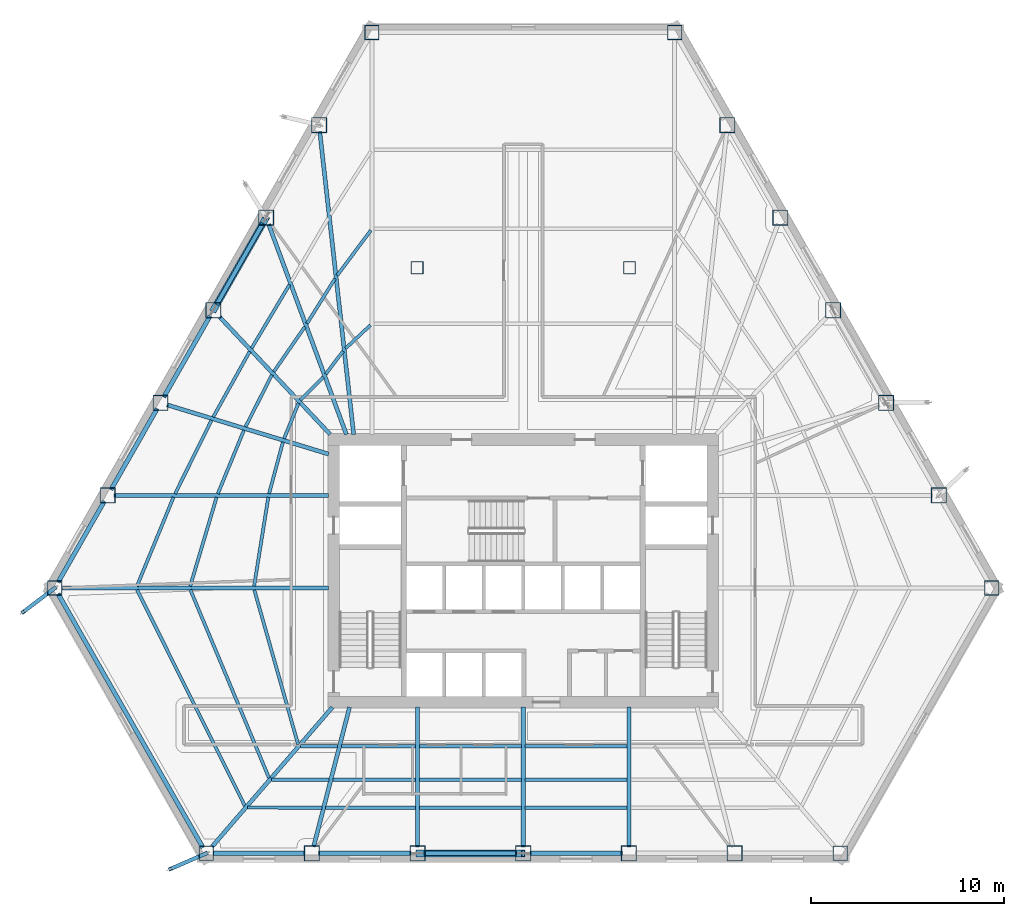
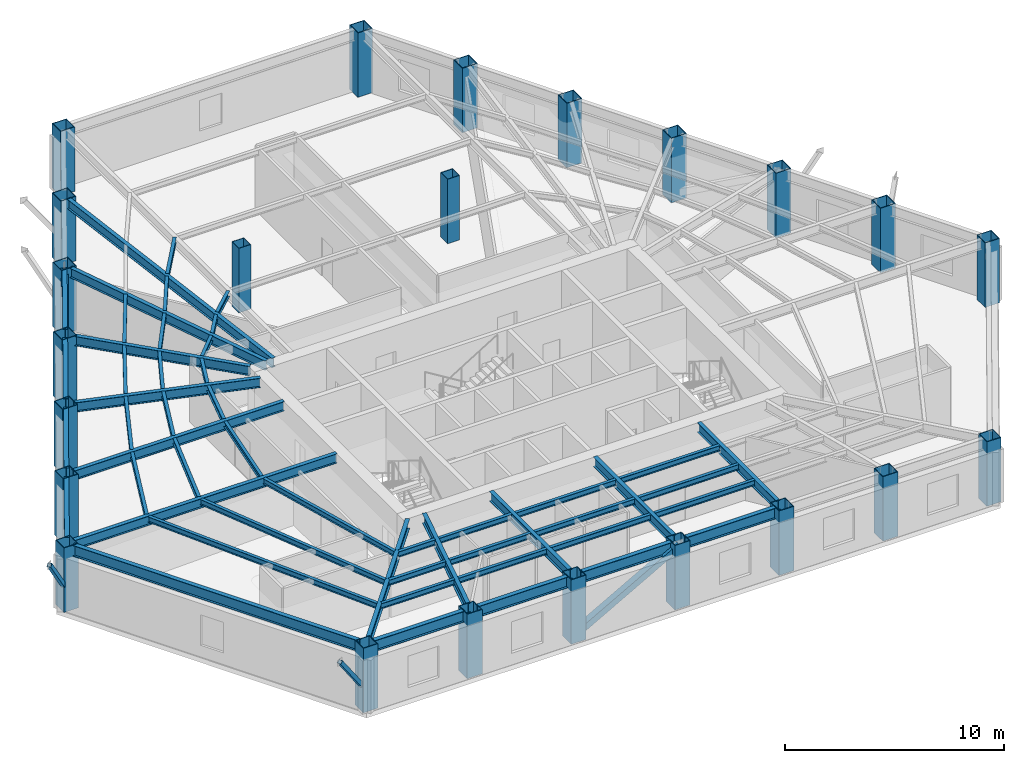
# One storey, part 1 of 12: 51 beams, 23 columns, 4 members.
"""IFC4 building model written with IfcOpenShell, lengths in metres."""

import ifcopenshell
import ifcopenshell.guid

model = None  # the IFC model being written
_history = None  # IfcOwnerHistory: only IFC2X3 demands one
_inside = {}  # id of a spatial element -> (the spatial element, [elements in it])
_under = {}  # id of a project, library or spatial element -> (it, [spatial elements below it])
_declared = {}  # id of a project -> (the project, [libraries it declares])
_typed = {}  # id of a type object -> (the type object, [elements of that type])
_made_of = {}  # id of a material, layer set ... -> (it, [elements and type objects made of it])


def new_model(schema):
    """Start an empty IFC model of exactly this schema.

    Asked for "IFC4X3", IfcOpenShell would pick the latest addendum, in which some entities
    have other attributes; the version numbers below select the first issue.
    IFC2X3 requires an IfcOwnerHistory on every rooted entity: one is made here for all.
    """
    global model, _history
    if schema == "IFC4X3":
        model = ifcopenshell.file(schema_version=(4, 3, 0, 0))
    else:
        model = ifcopenshell.file(schema=schema)
    _inside.clear()
    _under.clear()
    _declared.clear()
    _typed.clear()
    _made_of.clear()
    _history = None
    if model.schema == "IFC2X3":
        org = make("IfcOrganization", Name="unknown")
        user = make(
            "IfcPersonAndOrganization",
            ThePerson=make("IfcPerson", FamilyName="unknown"),
            TheOrganization=org,
        )
        app = make(
            "IfcApplication",
            ApplicationDeveloper=org,
            Version="unknown",
            ApplicationFullName="unknown",
            ApplicationIdentifier="unknown",
        )
        _history = make(
            "IfcOwnerHistory",
            OwningUser=user,
            OwningApplication=app,
            ChangeAction="ADDED",
            CreationDate=0,
        )
    return model


def make(cls, **values):
    """One entity of the class cls with the attributes given. An attribute that is None is left unset."""
    return model.create_entity(
        cls, **{name: value for name, value in values.items() if value is not None}
    )


def rooted(cls, **values):
    """An entity with a GlobalId (a new one), such as an element, a storey or a relation."""
    return make(cls, GlobalId=ifcopenshell.guid.new(), OwnerHistory=_history, **values)


def si_unit(unit_type, name, prefix=None):
    """IfcSIUnit, for example si_unit("LENGTHUNIT", "METRE", prefix="MILLI")."""
    return make("IfcSIUnit", UnitType=unit_type, Prefix=prefix, Name=name)


def assignment(units):
    """IfcUnitAssignment: the units of a project."""
    return None if units is None else make("IfcUnitAssignment", Units=units)


def point(xyz):
    """IfcCartesianPoint."""
    return None if xyz is None else make("IfcCartesianPoint", Coordinates=xyz)


def direction(xyz):
    """IfcDirection."""
    return None if xyz is None else make("IfcDirection", DirectionRatios=xyz)


def frame(location, z_axis=None, x_axis=None):
    """IfcAxis2Placement3D, a coordinate frame: its origin and axes. An axis left out is left unset."""
    return make(
        "IfcAxis2Placement3D",
        Location=point(location),
        Axis=direction(z_axis),
        RefDirection=direction(x_axis),
    )


def frame_2d(location, x_axis=None):
    """IfcAxis2Placement2D, a coordinate frame in the plane: its origin and x axis."""
    return make(
        "IfcAxis2Placement2D", Location=point(location), RefDirection=direction(x_axis)
    )


def origin():
    """The frame at (0, 0, 0) with its axes left unset."""
    return frame((0.0, 0.0, 0.0))


def origin_2d():
    """The frame at (0, 0) in the plane with its x axis left unset."""
    return frame_2d((0.0, 0.0))


def place(relative_to, where):
    """IfcLocalPlacement: puts the frame where relative to a parent placement (None: the world)."""
    return make(
        "IfcLocalPlacement", PlacementRelTo=relative_to, RelativePlacement=where
    )


def context(
    kind, dimensions, precision=None, world=None, true_north=None, identifier=None
):
    """IfcGeometricRepresentationContext, for example the 3D "Model" context."""
    return make(
        "IfcGeometricRepresentationContext",
        ContextIdentifier=identifier,
        ContextType=kind,
        CoordinateSpaceDimension=dimensions,
        Precision=precision,
        WorldCoordinateSystem=world,
        TrueNorth=true_north,
    )


def subcontext(parent, identifier, kind, view, scale=None):
    """IfcGeometricRepresentationSubContext, for example "Body" below "Model"."""
    return make(
        "IfcGeometricRepresentationSubContext",
        ContextIdentifier=identifier,
        ContextType=kind,
        ParentContext=parent,
        TargetScale=scale,
        TargetView=view,
    )


def project(units=None, contexts=None):
    """IfcProject with its units and contexts."""
    return rooted(
        "IfcProject",
        Name="project",
        RepresentationContexts=contexts,
        UnitsInContext=assignment(units),
    )


def spatial(cls, under=None, at=None, **own):
    """A site, building, storey or space (cls), placed at a placement, below another one or the project."""
    s = rooted(cls, ObjectPlacement=at, **own)
    if under is not None:
        _under.setdefault(under.id(), (under, []))[1].append(s)
    return s


def profile(cls, at=None, kind="AREA", **sizes):
    """A parametric profile (cls). Its sizes go by their IFC names, for example OverallWidth=200.0."""
    return make(cls, ProfileType=kind, Position=at, **sizes)


def hollow_rectangle(**sizes):
    """IfcRectangleHollowProfileDef."""
    return profile("IfcRectangleHollowProfileDef", **sizes)


def i_section(**sizes):
    """IfcIShapeProfileDef."""
    return profile("IfcIShapeProfileDef", **sizes)


def extrude(swept, where, along, depth):
    """IfcExtrudedAreaSolid: the profile swept, set in the frame where, extruded along a direction by depth."""
    return make(
        "IfcExtrudedAreaSolid",
        SweptArea=swept,
        Position=where,
        ExtrudedDirection=direction(along),
        Depth=depth,
    )


def shape(context_of_items, identifier, shape_type, items):
    """IfcShapeRepresentation: the items that make up one representation, for example the "Body"."""
    return make(
        "IfcShapeRepresentation",
        ContextOfItems=context_of_items,
        RepresentationIdentifier=identifier,
        RepresentationType=shape_type,
        Items=items,
    )


def material(Name=None, Category=None):
    """IfcMaterial."""
    return make("IfcMaterial", Name=Name, Category=Category)


def material_profile(
    of_material, cross_section, Name=None, Category=None, Priority=None
):
    """IfcMaterialProfile: a cross section and its material."""
    return make(
        "IfcMaterialProfile",
        Name=Name,
        Material=of_material,
        Profile=cross_section,
        Priority=Priority,
        Category=Category,
    )


def profile_set(profiles, Name=None, composite=None):
    """IfcMaterialProfileSet."""
    return make(
        "IfcMaterialProfileSet",
        Name=Name,
        MaterialProfiles=profiles,
        CompositeProfile=composite,
    )


def made_of(thing, what):
    """Note that an element or type object is made of a material, layer set ...; save() writes the relation."""
    if what is not None:
        _made_of.setdefault(what.id(), (what, []))[1].append(thing)
    return thing


def type_object(cls, material=None, **own):
    """A type object (cls), such as IfcWallType, which elements share."""
    return made_of(rooted(cls, **own), material)


def element(
    cls,
    number,
    at=None,
    inside=None,
    cuts=None,
    type_object=None,
    material=None,
    context=None,
    identifier="Body",
    shape_type=None,
    held_by="IfcProductDefinitionShape",
    body=None,
    shapes=None,
    **own,
):
    """One element of the class cls, such as IfcWall. Its Tag is "e" and its number.

    at: its placement. inside: the storey or other place that contains it. cuts: it is an
    opening in that element (IfcRelVoidsElement). A single representation is given by context,
    identifier, shape_type and body (its items); several are given by shapes. held_by: the class
    of the entity that holds the representations. save() writes the other relations.
    """
    e = rooted(cls, Tag="e%d" % number, ObjectPlacement=at, **own)
    if body is not None:
        shapes = [shape(context, identifier, shape_type, body)]
    if shapes is not None:
        e.Representation = make(held_by, Representations=shapes)
    if inside is not None:
        _inside.setdefault(inside.id(), (inside, []))[1].append(e)
    if cuts is not None:
        rooted(
            "IfcRelVoidsElement", RelatingBuildingElement=cuts, RelatedOpeningElement=e
        )
    if type_object is not None:
        _typed.setdefault(type_object.id(), (type_object, []))[1].append(e)
    return made_of(e, material)


def aggregate(whole, parts):
    """IfcRelAggregates: a whole, such as a stair, and the parts it consists of."""
    return rooted("IfcRelAggregates", RelatingObject=whole, RelatedObjects=parts)


def save(model, path):
    """Write the relations noted so far, then the file.

    IfcRelAggregates (storeys below a building ...), IfcRelContainedInSpatialStructure (elements
    in a storey), IfcRelDefinesByType, IfcRelAssociatesMaterial and IfcRelDeclares: one each for
    every whole, place, type object, material and project.
    """
    for whole, parts in _under.values():
        aggregate(whole, parts)
    for where, things in _inside.values():
        rooted(
            "IfcRelContainedInSpatialStructure",
            RelatedElements=things,
            RelatingStructure=where,
        )
    for kind, things in _typed.values():
        rooted("IfcRelDefinesByType", RelatedObjects=things, RelatingType=kind)
    for what, things in _made_of.values():
        rooted("IfcRelAssociatesMaterial", RelatedObjects=things, RelatingMaterial=what)
    for by, libraries in _declared.values():
        rooted("IfcRelDeclares", RelatingContext=by, RelatedDefinitions=libraries)
    model.write(path)


model = new_model("IFC4")

# Units and contexts
model_context = context("Model", 3, precision=1e-05, world=origin(), true_north=direction((0.0, 1.0)))
body_context = subcontext(model_context, "Body", "Model", "MODEL_VIEW")
ifc_project = project(units=[si_unit("LENGTHUNIT", "METRE"), si_unit("AREAUNIT", "SQUARE_METRE"), si_unit("VOLUMEUNIT", "CUBIC_METRE"), si_unit("PLANEANGLEUNIT", "RADIAN"), si_unit("MASSUNIT", "GRAM", prefix="KILO")], contexts=[model_context])

# Site, building, storey
site_placement = place(None, origin())
site = spatial("IfcSite", under=ifc_project, at=site_placement, CompositionType="ELEMENT")
building_placement = place(site_placement, origin())
building = spatial("IfcBuilding", under=site, at=building_placement, Name="Kavelnor Concourse Tower", CompositionType="ELEMENT")
storey_placement = place(building_placement, frame((0.0, 0.0, 29.10009765625)))
storey = spatial("IfcBuildingStorey", under=building, at=storey_placement, Name="L07", CompositionType="ELEMENT", Elevation=29.10009765625)

# Columns
ifc_material = material(Name="Steel Grade 350", Category="steel")
ifc_material_profile_1 = material_profile(ifc_material, hollow_rectangle(XDim=0.760009765625, YDim=0.760009765625, WallThickness=0.034912109375, at=origin_2d()), Name="SHS 760x760x35")
ifc_profile_set_1 = profile_set([ifc_material_profile_1], Name="Steel Grade 350")
column_type_1 = type_object("IfcColumnType", Name="COL-FOLD-Z1", PredefinedType="COLUMN", material=ifc_profile_set_1)
for number, where, z_axis, x_axis, name in (
    (1, (30.160400390625, 43.9873046875, 0.0), (0.0, 0.0, 1.0), (1.0, 0.0, 0.0), "L07 Perimeter Corner-Fold Column F0-B0"),
    (2, (13.732666015625, 15.206298828125, 0.0), (0.0, 0.0, 1.0), (1.0, 0.0, 0.0), "L07 Perimeter Corner-Fold Column F0-B6"),
    (3, (21.576904296875, 1.462890625, 0.0), (0.0, 0.0, 1.0), (1.0, 0.0, 0.0), "L07 Perimeter Corner-Fold Column F1-B0"),
    (4, (54.423095703125, 1.462890625, 0.0), (0.0, 0.0, 1.0), (1.0, 0.0, 0.0), "L07 Perimeter Corner-Fold Column F1-B6"),
    (5, (62.267333984375, 15.206298828125, 0.0), (0.0, 0.0, 1.0), (1.0, 0.0, 0.0), "L07 Perimeter Corner-Fold Column F2-B0"),
    (6, (45.839599609375, 43.9873046875, 0.0), (0.0, 0.0, 1.0), (1.0, 0.0, 0.0), "L07 Perimeter Corner-Fold Column F2-B6"),
):
    element("IfcColumn", number, at=place(storey_placement, frame(where, z_axis=z_axis, x_axis=x_axis)), inside=storey, type_object=column_type_1, Name=name, PredefinedType="COLUMN", context=body_context, shape_type="SweptSolid", body=[
        extrude(hollow_rectangle(XDim=0.760009765625, YDim=0.760009765625, WallThickness=0.034912109375, at=origin_2d()), origin(), (0.0, 0.0, 1.0), 3.58984375),
    ])
ifc_material_profile_2 = material_profile(ifc_material, hollow_rectangle(XDim=0.800048828125, YDim=0.800048828125, WallThickness=0.035888671875, at=origin_2d()), Name="SHS 800x800x36")
ifc_profile_set_2 = profile_set([ifc_material_profile_2], Name="Steel Grade 350")
column_type_2 = type_object("IfcColumnType", Name="COL-TUBE-Z1", PredefinedType="COLUMN", material=ifc_profile_set_2)
for number, where, z_axis, x_axis, name in (
    (7, (27.42236328125, 39.1904296875, 0.0), (0.0, 0.0, 1.0), (1.0, 0.0, 0.0), "L07 Perimeter Framed-Tube Column F0-B1"),
    (8, (24.684326171875, 34.393798828125, 0.0), (0.0, 0.0, 1.0), (1.0, 0.0, 0.0), "L07 Perimeter Framed-Tube Column F0-B2"),
    (9, (21.9462890625, 29.5966796875, 0.0), (0.0, 0.0, 1.0), (1.0, 0.0, 0.0), "L07 Perimeter Framed-Tube Column F0-B3"),
    (10, (19.20849609375, 24.7998046875, 0.0), (0.0, 0.0, 1.0), (1.0, 0.0, 0.0), "L07 Perimeter Framed-Tube Column F0-B4"),
    (11, (16.470458984375, 20.003173828125, 0.0), (0.0, 0.0, 1.0), (1.0, 0.0, 0.0), "L07 Perimeter Framed-Tube Column F0-B5"),
    (12, (27.05126953125, 1.462890625, 0.0), (0.0, 0.0, 1.0), (1.0, 0.0, 0.0), "L07 Perimeter Framed-Tube Column F1-B1"),
    (13, (32.525634765625, 1.462890625, 0.0), (0.0, 0.0, 1.0), (1.0, 0.0, 0.0), "L07 Perimeter Framed-Tube Column F1-B2"),
    (14, (38.0, 1.462890625, 0.0), (0.0, 0.0, 1.0), (1.0, 0.0, 0.0), "L07 Perimeter Framed-Tube Column F1-B3"),
    (15, (43.474365234375, 1.462890625, 0.0), (0.0, 0.0, 1.0), (1.0, 0.0, 0.0), "L07 Perimeter Framed-Tube Column F1-B4"),
    (16, (48.94873046875, 1.462890625, 0.0), (0.0, 0.0, 1.0), (1.0, 0.0, 0.0), "L07 Perimeter Framed-Tube Column F1-B5"),
    (17, (59.529541015625, 20.003173828125, 0.0), (0.0, 0.0, 1.0), (1.0, 0.0, 0.0), "L07 Perimeter Framed-Tube Column F2-B1"),
    (18, (56.79150390625, 24.7998046875, 0.0), (0.0, 0.0, 1.0), (1.0, 0.0, 0.0), "L07 Perimeter Framed-Tube Column F2-B2"),
    (19, (54.0537109375, 29.5966796875, 0.0), (0.0, 0.0, 1.0), (1.0, 0.0, 0.0), "L07 Perimeter Framed-Tube Column F2-B3"),
    (20, (51.315673828125, 34.393798828125, 0.0), (0.0, 0.0, 1.0), (1.0, 0.0, 0.0), "L07 Perimeter Framed-Tube Column F2-B4"),
    (21, (48.57763671875, 39.1904296875, 0.0), (0.0, 0.0, 1.0), (1.0, 0.0, 0.0), "L07 Perimeter Framed-Tube Column F2-B5"),
):
    element("IfcColumn", number, at=place(storey_placement, frame(where, z_axis=z_axis, x_axis=x_axis)), inside=storey, type_object=column_type_2, Name=name, PredefinedType="COLUMN", context=body_context, shape_type="SweptSolid", body=[
        extrude(hollow_rectangle(XDim=0.800048828125, YDim=0.800048828125, WallThickness=0.035888671875, at=origin_2d()), origin(), (0.0, 0.0, 1.0), 3.58984375),
    ])
ifc_material_profile_3 = material_profile(ifc_material, hollow_rectangle(XDim=0.639892578125, YDim=0.639892578125, WallThickness=0.028076171875, at=origin_2d()), Name="SHS 640x640x28")
ifc_profile_set_3 = profile_set([ifc_material_profile_3], Name="Steel Grade 350")
column_type_3 = type_object("IfcColumnType", Name="COL-TUBE-Z3", PredefinedType="COLUMN", material=ifc_profile_set_3)
for number, where, z_axis, x_axis, name in (
    (22, (32.5, 31.800048828125, 0.0), (0.0, 0.0, 1.0), (1.0, 0.0, 0.0), "L07 North Interior Gravity Column BC-NW"),
    (23, (43.5, 31.800048828125, 0.0), (0.0, 0.0, 1.0), (1.0, 0.0, 0.0), "L07 North Interior Gravity Column BC-NE"),
):
    element("IfcColumn", number, at=place(storey_placement, frame(where, z_axis=z_axis, x_axis=x_axis)), inside=storey, type_object=column_type_3, Name=name, PredefinedType="COLUMN", context=body_context, shape_type="SweptSolid", body=[
        extrude(hollow_rectangle(XDim=0.639892578125, YDim=0.639892578125, WallThickness=0.028076171875, at=origin_2d()), origin(), (0.0, 0.0, 1.0), 3.58984375),
    ])

# Beams
ifc_material_profile_4 = material_profile(ifc_material, i_section(OverallWidth=0.166015625, OverallDepth=0.306884765625, WebThickness=0.006591796875, FlangeThickness=0.01171875, at=origin_2d()), Name="310UB46")
ifc_profile_set_4 = profile_set([ifc_material_profile_4], Name="Steel Grade 350")
beam_type_1 = type_object("IfcBeamType", Name="BM-JOIST-310", PredefinedType="JOIST", material=ifc_profile_set_4)
beam_1_placement = place(storey_placement, frame((24.069580078125, 15.111328125, 3.4365234375), z_axis=(0.27269037015, -0.962101845974, 0.0), x_axis=(0.962101845974, 0.27269037015, 0.0)))
element("IfcBeam", 24, at=beam_1_placement, inside=storey, type_object=beam_type_1, Name="L07 Secondary Composite Joist 01-1", PredefinedType="JOIST", context=body_context, shape_type="SweptSolid", body=[
    extrude(i_section(OverallWidth=0.166015625, OverallDepth=0.306884765625, WebThickness=0.006591796875, FlangeThickness=0.01171875, at=origin_2d()), origin(), (0.0, 0.0, 1.0), 8.32275390625),
])
beam_2_placement = place(storey_placement, frame((20.75732421875, 15.115234375, 3.4365234375), z_axis=(0.38570957059, -0.922620250783, 0.0), x_axis=(0.922620250783, 0.38570957059, 0.0)))
element("IfcBeam", 25, at=beam_2_placement, inside=storey, type_object=beam_type_1, Name="L07 Secondary Composite Joist 01-2", PredefinedType="JOIST", context=body_context, shape_type="SweptSolid", body=[
    extrude(i_section(OverallWidth=0.166015625, OverallDepth=0.306884765625, WebThickness=0.006591796875, FlangeThickness=0.01171875, at=origin_2d()), origin(), (0.0, 0.0, 1.0), 10.564697265625),
])
beam_3_placement = place(storey_placement, frame((17.993896484375, 15.1181640625, 3.4365234375), z_axis=(0.446425153632, -0.894820977741, 0.0), x_axis=(0.894820977741, 0.446425153632, 0.0)))
element("IfcBeam", 26, at=beam_3_placement, inside=storey, type_object=beam_type_1, Name="L07 Secondary Composite Joist 01-3", PredefinedType="JOIST", context=body_context, shape_type="SweptSolid", body=[
    extrude(i_section(OverallWidth=0.166015625, OverallDepth=0.306884765625, WebThickness=0.006591796875, FlangeThickness=0.01171875, at=origin_2d()), origin(), (0.0, 0.0, 1.0), 12.5126953125),
])
beam_4_placement = place(storey_placement, frame((26.464599609375, 7.009521484375, 3.4365234375), z_axis=(0.999998412912, 0.001781620995, 0.0), x_axis=(-0.001781620995, 0.999998412912, 0.0)))
element("IfcBeam", 27, at=beam_4_placement, inside=storey, type_object=beam_type_1, Name="L07 Secondary Composite Joist 02-1", PredefinedType="JOIST", context=body_context, shape_type="SweptSolid", body=[
    extrude(i_section(OverallWidth=0.166015625, OverallDepth=0.306884765625, WebThickness=0.006591796875, FlangeThickness=0.01171875, at=origin_2d()), origin(), (0.0, 0.0, 1.0), 1.91845703125),
])
beam_5_placement = place(storey_placement, frame((24.96875, 5.277099609375, 3.4365234375), z_axis=(0.999999996614, -8.2290981e-05, 0.0), x_axis=(8.2290981e-05, 0.999999996614, 0.0)))
element("IfcBeam", 28, at=beam_5_placement, inside=storey, type_object=beam_type_1, Name="L07 Secondary Composite Joist 02-2", PredefinedType="JOIST", context=body_context, shape_type="SweptSolid", body=[
    extrude(i_section(OverallWidth=0.166015625, OverallDepth=0.306884765625, WebThickness=0.006591796875, FlangeThickness=0.01171875, at=origin_2d()), origin(), (0.0, 0.0, 1.0), 2.966796875),
])
beam_6_placement = place(storey_placement, frame((23.722412109375, 3.83349609375, 3.4365234375), z_axis=(0.999999603933, -0.000890018719, 0.0), x_axis=(0.000890018719, 0.999999603933, 0.0)))
element("IfcBeam", 29, at=beam_6_placement, inside=storey, type_object=beam_type_1, Name="L07 Secondary Composite Joist 02-3", PredefinedType="JOIST", context=body_context, shape_type="SweptSolid", body=[
    extrude(i_section(OverallWidth=0.166015625, OverallDepth=0.306884765625, WebThickness=0.006591796875, FlangeThickness=0.01171875, at=origin_2d()), origin(), (0.0, 0.0, 1.0), 3.84033203125),
])
beam_7_placement = place(storey_placement, frame((28.580078125, 7.01318359375, 3.4365234375), z_axis=(0.999999991945, 0.000126927714, 0.0), x_axis=(-0.000126927714, 0.999999991945, 0.0)))
element("IfcBeam", 30, at=beam_7_placement, inside=storey, type_object=beam_type_1, Name="L07 Secondary Composite Joist 03-1", PredefinedType="JOIST", context=body_context, shape_type="SweptSolid", body=[
    extrude(i_section(OverallWidth=0.166015625, OverallDepth=0.306884765625, WebThickness=0.006591796875, FlangeThickness=0.01171875, at=origin_2d()), origin(), (0.0, 0.0, 1.0), 3.846923828125),
])
beam_8_placement = place(storey_placement, frame((28.132568359375, 5.27685546875, 3.4365234375), z_axis=(0.999999998384, -5.6850483e-05, 0.0), x_axis=(5.6850483e-05, 0.999999998384, 0.0)))
element("IfcBeam", 31, at=beam_8_placement, inside=storey, type_object=beam_type_1, Name="L07 Secondary Composite Joist 03-2", PredefinedType="JOIST", context=body_context, shape_type="SweptSolid", body=[
    extrude(i_section(OverallWidth=0.166015625, OverallDepth=0.306884765625, WebThickness=0.006591796875, FlangeThickness=0.01171875, at=origin_2d()), origin(), (0.0, 0.0, 1.0), 4.29443359375),
])
beam_9_placement = place(storey_placement, frame((27.759765625, 3.829833984375, 3.4365234375), z_axis=(0.999999994527, -0.000104618925, 0.0), x_axis=(0.000104618925, 0.999999994527, 0.0)))
element("IfcBeam", 32, at=beam_9_placement, inside=storey, type_object=beam_type_1, Name="L07 Secondary Composite Joist 03-3", PredefinedType="JOIST", context=body_context, shape_type="SweptSolid", body=[
    extrude(i_section(OverallWidth=0.166015625, OverallDepth=0.306884765625, WebThickness=0.006591796875, FlangeThickness=0.01171875, at=origin_2d()), origin(), (0.0, 0.0, 1.0), 4.667236328125),
])
for number, where, z_axis, x_axis, name in (
    (33, (32.6240234375, 7.013671875, 3.4365234375), (1.0, 0.0, 0.0), (0.0, 1.0, 0.0), "L07 Secondary Composite Joist 04-1"),
    (34, (32.6240234375, 5.276611328125, 3.4365234375), (1.0, 0.0, 0.0), (0.0, 1.0, 0.0), "L07 Secondary Composite Joist 04-2"),
    (35, (32.6240234375, 3.829345703125, 3.4365234375), (1.0, 0.0, 0.0), (0.0, 1.0, 0.0), "L07 Secondary Composite Joist 04-3"),
    (36, (38.098388671875, 7.013671875, 3.4365234375), (1.0, 0.0, 0.0), (0.0, 1.0, 0.0), "L07 Secondary Composite Joist 05-1"),
    (37, (38.098388671875, 5.276611328125, 3.4365234375), (1.0, 0.0, 0.0), (0.0, 1.0, 0.0), "L07 Secondary Composite Joist 05-2"),
    (38, (38.098388671875, 3.829345703125, 3.4365234375), (1.0, 0.0, 0.0), (0.0, 1.0, 0.0), "L07 Secondary Composite Joist 05-3"),
):
    element("IfcBeam", number, at=place(storey_placement, frame(where, z_axis=z_axis, x_axis=x_axis)), inside=storey, type_object=beam_type_1, Name=name, PredefinedType="JOIST", context=body_context, shape_type="SweptSolid", body=[
        extrude(i_section(OverallWidth=0.166015625, OverallDepth=0.306884765625, WebThickness=0.006591796875, FlangeThickness=0.01171875, at=origin_2d()), origin(), (0.0, 0.0, 1.0), 5.277587890625),
    ])
beam_10_placement = place(storey_placement, frame((30.08837890625, 28.8291015625, 3.4365234375), z_axis=(-0.730182552933, -0.683252105297, 0.0), x_axis=(0.683252105297, -0.730182552933, 0.0)))
element("IfcBeam", 39, at=beam_10_placement, inside=storey, type_object=beam_type_1, Name="L07 Secondary Composite Joist 16-1", PredefinedType="JOIST", context=body_context, shape_type="SweptSolid", body=[
    extrude(i_section(OverallWidth=0.166015625, OverallDepth=0.306884765625, WebThickness=0.006591796875, FlangeThickness=0.01171875, at=origin_2d()), origin(), (0.0, 0.0, 1.0), 1.768798828125),
])
beam_11_placement = place(storey_placement, frame((30.1015625, 33.734375, 3.4365234375), z_axis=(-0.597166328118, -0.80211743315, 0.0), x_axis=(0.80211743315, -0.597166328118, 0.0)))
element("IfcBeam", 40, at=beam_11_placement, inside=storey, type_object=beam_type_1, Name="L07 Secondary Composite Joist 16-2", PredefinedType="JOIST", context=body_context, shape_type="SweptSolid", body=[
    extrude(i_section(OverallWidth=0.166015625, OverallDepth=0.306884765625, WebThickness=0.006591796875, FlangeThickness=0.01171875, at=origin_2d()), origin(), (0.0, 0.0, 1.0), 2.91259765625),
])
beam_12_placement = place(storey_placement, frame((28.66552734375, 27.474853515625, 3.4365234375), z_axis=(-0.602679585657, -0.797983281173, 0.0), x_axis=(0.797983281173, -0.602679585657, 0.0)))
element("IfcBeam", 41, at=beam_12_placement, inside=storey, type_object=beam_type_1, Name="L07 Secondary Composite Joist 17-1", PredefinedType="JOIST", context=body_context, shape_type="SweptSolid", body=[
    extrude(i_section(OverallWidth=0.166015625, OverallDepth=0.306884765625, WebThickness=0.006591796875, FlangeThickness=0.01171875, at=origin_2d()), origin(), (0.0, 0.0, 1.0), 1.485107421875),
])
beam_13_placement = place(storey_placement, frame((28.251220703125, 31.235595703125, 3.4365234375), z_axis=(-0.529990944069, -0.848003301412, 0.0), x_axis=(0.848003301412, -0.529990944069, 0.0)))
element("IfcBeam", 42, at=beam_13_placement, inside=storey, type_object=beam_type_1, Name="L07 Secondary Composite Joist 17-2", PredefinedType="JOIST", context=body_context, shape_type="SweptSolid", body=[
    extrude(i_section(OverallWidth=0.166015625, OverallDepth=0.306884765625, WebThickness=0.006591796875, FlangeThickness=0.01171875, at=origin_2d()), origin(), (0.0, 0.0, 1.0), 2.74462890625),
])
beam_14_placement = place(storey_placement, frame((27.64208984375, 26.14111328125, 3.4365234375), z_axis=(-0.701128879379, -0.713034567536, 0.0), x_axis=(0.713034567536, -0.701128879379, 0.0)))
element("IfcBeam", 43, at=beam_14_placement, inside=storey, type_object=beam_type_1, Name="L07 Secondary Composite Joist 18-1", PredefinedType="JOIST", context=body_context, shape_type="SweptSolid", body=[
    extrude(i_section(OverallWidth=0.166015625, OverallDepth=0.306884765625, WebThickness=0.006591796875, FlangeThickness=0.01171875, at=origin_2d()), origin(), (0.0, 0.0, 1.0), 1.681396484375),
])
beam_15_placement = place(storey_placement, frame((26.6884765625, 28.74365234375, 3.4365234375), z_axis=(-0.568219875212, -0.822876766846, 0.0), x_axis=(0.822876766846, -0.568219875212, 0.0)))
element("IfcBeam", 44, at=beam_15_placement, inside=storey, type_object=beam_type_1, Name="L07 Secondary Composite Joist 18-2", PredefinedType="JOIST", context=body_context, shape_type="SweptSolid", body=[
    extrude(i_section(OverallWidth=0.166015625, OverallDepth=0.306884765625, WebThickness=0.006591796875, FlangeThickness=0.01171875, at=origin_2d()), origin(), (0.0, 0.0, 1.0), 2.8349609375),
])
beam_16_placement = place(storey_placement, frame((25.888427734375, 30.917724609375, 3.4365234375), z_axis=(-0.511989436701, -0.85899174426, 0.0), x_axis=(0.85899174426, -0.511989436701, 0.0)))
element("IfcBeam", 45, at=beam_16_placement, inside=storey, type_object=beam_type_1, Name="L07 Secondary Composite Joist 18-3", PredefinedType="JOIST", context=body_context, shape_type="SweptSolid", body=[
    extrude(i_section(OverallWidth=0.166015625, OverallDepth=0.306884765625, WebThickness=0.006591796875, FlangeThickness=0.01171875, at=origin_2d()), origin(), (0.0, 0.0, 1.0), 3.828125),
])
beam_17_placement = place(storey_placement, frame((26.35693359375, 24.78076171875, 3.4365234375), z_axis=(-0.37688079029, -0.926261771807, 0.0), x_axis=(0.926261771807, -0.37688079029, 0.0)))
element("IfcBeam", 46, at=beam_17_placement, inside=storey, type_object=beam_type_1, Name="L07 Secondary Composite Joist 19-1", PredefinedType="JOIST", context=body_context, shape_type="SweptSolid", body=[
    extrude(i_section(OverallWidth=0.166015625, OverallDepth=0.306884765625, WebThickness=0.006591796875, FlangeThickness=0.01171875, at=origin_2d()), origin(), (0.0, 0.0, 1.0), 1.975830078125),
])
beam_18_placement = place(storey_placement, frame((24.97705078125, 26.2421875, 3.4365234375), z_axis=(-0.45359286798, -0.891209015954, 0.0), x_axis=(0.891209015954, -0.45359286798, 0.0)))
element("IfcBeam", 47, at=beam_18_placement, inside=storey, type_object=beam_type_1, Name="L07 Secondary Composite Joist 19-2", PredefinedType="JOIST", context=body_context, shape_type="SweptSolid", body=[
    extrude(i_section(OverallWidth=0.166015625, OverallDepth=0.306884765625, WebThickness=0.006591796875, FlangeThickness=0.01171875, at=origin_2d()), origin(), (0.0, 0.0, 1.0), 3.01025390625),
])
beam_19_placement = place(storey_placement, frame((23.830078125, 27.458740234375, 3.4365234375), z_axis=(-0.486646615233, -0.873598919346, 0.0), x_axis=(0.873598919346, -0.486646615233, 0.0)))
element("IfcBeam", 48, at=beam_19_placement, inside=storey, type_object=beam_type_1, Name="L07 Secondary Composite Joist 19-3", PredefinedType="JOIST", context=body_context, shape_type="SweptSolid", body=[
    extrude(i_section(OverallWidth=0.166015625, OverallDepth=0.306884765625, WebThickness=0.006591796875, FlangeThickness=0.01171875, at=origin_2d()), origin(), (0.0, 0.0, 1.0), 3.881591796875),
])
beam_20_placement = place(storey_placement, frame((25.5498046875, 22.764404296875, 3.4365234375), z_axis=(-0.259044050326, -0.965865508231, 0.0), x_axis=(0.965865508231, -0.259044050326, 0.0)))
element("IfcBeam", 49, at=beam_20_placement, inside=storey, type_object=beam_type_1, Name="L07 Secondary Composite Joist 20-1", PredefinedType="JOIST", context=body_context, shape_type="SweptSolid", body=[
    extrude(i_section(OverallWidth=0.166015625, OverallDepth=0.306884765625, WebThickness=0.006591796875, FlangeThickness=0.01171875, at=origin_2d()), origin(), (0.0, 0.0, 1.0), 2.760498046875),
])
beam_21_placement = place(storey_placement, frame((23.529541015625, 23.380615234375, 3.4365234375), z_axis=(-0.379764488657, -0.925083203369, 0.0), x_axis=(0.925083203369, -0.379764488657, 0.0)))
element("IfcBeam", 50, at=beam_21_placement, inside=storey, type_object=beam_type_1, Name="L07 Secondary Composite Joist 20-2", PredefinedType="JOIST", context=body_context, shape_type="SweptSolid", body=[
    extrude(i_section(OverallWidth=0.166015625, OverallDepth=0.306884765625, WebThickness=0.006591796875, FlangeThickness=0.01171875, at=origin_2d()), origin(), (0.0, 0.0, 1.0), 3.552490234375),
])
beam_22_placement = place(storey_placement, frame((21.849609375, 23.8935546875, 3.4365234375), z_axis=(-0.444127359241, -0.895963664873, 0.0), x_axis=(0.895963664873, -0.444127359241, 0.0)))
element("IfcBeam", 51, at=beam_22_placement, inside=storey, type_object=beam_type_1, Name="L07 Secondary Composite Joist 20-3", PredefinedType="JOIST", context=body_context, shape_type="SweptSolid", body=[
    extrude(i_section(OverallWidth=0.166015625, OverallDepth=0.306884765625, WebThickness=0.006591796875, FlangeThickness=0.01171875, at=origin_2d()), origin(), (0.0, 0.0, 1.0), 4.24365234375),
])
beam_23_placement = place(storey_placement, frame((24.793701171875, 19.90576171875, 3.4365234375), z_axis=(-0.157778022927, -0.98747460498, 0.0), x_axis=(0.98747460498, -0.157778022927, 0.0)))
element("IfcBeam", 52, at=beam_23_placement, inside=storey, type_object=beam_type_1, Name="L07 Secondary Composite Joist 21-1", PredefinedType="JOIST", context=body_context, shape_type="SweptSolid", body=[
    extrude(i_section(OverallWidth=0.166015625, OverallDepth=0.306884765625, WebThickness=0.006591796875, FlangeThickness=0.01171875, at=origin_2d()), origin(), (0.0, 0.0, 1.0), 4.66064453125),
])
beam_24_placement = place(storey_placement, frame((22.114990234375, 19.90869140625, 3.4365234375), z_axis=(-0.284527543542, -0.958667865825, 0.0), x_axis=(0.958667865825, -0.284527543542, 0.0)))
element("IfcBeam", 53, at=beam_24_placement, inside=storey, type_object=beam_type_1, Name="L07 Secondary Composite Joist 21-2", PredefinedType="JOIST", context=body_context, shape_type="SweptSolid", body=[
    extrude(i_section(OverallWidth=0.166015625, OverallDepth=0.306884765625, WebThickness=0.006591796875, FlangeThickness=0.01171875, at=origin_2d()), origin(), (0.0, 0.0, 1.0), 4.806884765625),
])
beam_25_placement = place(storey_placement, frame((19.8837890625, 19.912109375, 3.4365234375), z_axis=(-0.380114739322, -0.924939341228, 0.0), x_axis=(0.924939341228, -0.380114739322, 0.0)))
element("IfcBeam", 54, at=beam_25_placement, inside=storey, type_object=beam_type_1, Name="L07 Secondary Composite Joist 21-3", PredefinedType="JOIST", context=body_context, shape_type="SweptSolid", body=[
    extrude(i_section(OverallWidth=0.166015625, OverallDepth=0.306884765625, WebThickness=0.006591796875, FlangeThickness=0.01171875, at=origin_2d()), origin(), (0.0, 0.0, 1.0), 4.9892578125),
])
ifc_material_profile_5 = material_profile(ifc_material, i_section(OverallWidth=0.208984375, OverallDepth=0.528076171875, WebThickness=0.009521484375, FlangeThickness=0.01318359375, at=origin_2d()), Name="530UB82")
ifc_profile_set_5 = profile_set([ifc_material_profile_5], Name="Steel Grade 350")
beam_type_2 = type_object("IfcBeamType", Name="BM-PRIMARY-530", PredefinedType="BEAM", material=ifc_profile_set_5)
beam_26_placement = place(storey_placement, frame((29.216552734375, 23.16015625, 3.325927734375), z_axis=(-0.111229182439, 0.993794782123, 0.0), x_axis=(-0.993794782123, -0.111229182439, 0.0)))
element("IfcBeam", 55, at=beam_26_placement, inside=storey, type_object=beam_type_2, Name="L07 Primary Floor Girder F0-B1", PredefinedType="BEAM", context=body_context, shape_type="SweptSolid", body=[
    extrude(i_section(OverallWidth=0.208984375, OverallDepth=0.528076171875, WebThickness=0.009521484375, FlangeThickness=0.01318359375, at=origin_2d()), origin(), (0.0, 0.0, 1.0), 15.7880859375),
])
beam_27_placement = place(storey_placement, frame((28.839111328125, 23.16259765625, 3.325927734375), z_axis=(-0.346953391469, 0.937882372235, 0.0), x_axis=(-0.937882372235, -0.346953391469, 0.0)))
element("IfcBeam", 56, at=beam_27_placement, inside=storey, type_object=beam_type_2, Name="L07 Primary Floor Girder F0-B2", PredefinedType="BEAM", context=body_context, shape_type="SweptSolid", body=[
    extrude(i_section(OverallWidth=0.208984375, OverallDepth=0.528076171875, WebThickness=0.009521484375, FlangeThickness=0.01318359375, at=origin_2d()), origin(), (0.0, 0.0, 1.0), 11.60986328125),
])
beam_28_placement = place(storey_placement, frame((27.995361328125, 23.1708984375, 3.325927734375), z_axis=(-0.685437716823, 0.728131263136, 0.0), x_axis=(-0.728131263136, -0.685437716823, 0.0)))
element("IfcBeam", 57, at=beam_28_placement, inside=storey, type_object=beam_type_2, Name="L07 Primary Floor Girder F0-B3", PredefinedType="BEAM", context=body_context, shape_type="SweptSolid", body=[
    extrude(i_section(OverallWidth=0.208984375, OverallDepth=0.528076171875, WebThickness=0.009521484375, FlangeThickness=0.01318359375, at=origin_2d()), origin(), (0.0, 0.0, 1.0), 8.34326171875),
])
beam_29_placement = place(storey_placement, frame((27.918212890625, 22.1455078125, 3.325927734375), z_axis=(-0.956561257848, 0.291531404799, 0.0), x_axis=(-0.291531404799, -0.956561257848, 0.0)))
element("IfcBeam", 58, at=beam_29_placement, inside=storey, type_object=beam_type_2, Name="L07 Primary Floor Girder F0-B4", PredefinedType="BEAM", context=body_context, shape_type="SweptSolid", body=[
    extrude(i_section(OverallWidth=0.208984375, OverallDepth=0.528076171875, WebThickness=0.009521484375, FlangeThickness=0.01318359375, at=origin_2d()), origin(), (0.0, 0.0, 1.0), 8.747802734375),
])
beam_30_placement = place(storey_placement, frame((27.919921875, 20.003173828125, 3.325927734375), z_axis=(-1.0, 0.0, 0.0), x_axis=(0.0, -1.0, 0.0)))
element("IfcBeam", 59, at=beam_30_placement, inside=storey, type_object=beam_type_2, Name="L07 Primary Floor Girder F0-B5", PredefinedType="BEAM", context=body_context, shape_type="SweptSolid", body=[
    extrude(i_section(OverallWidth=0.208984375, OverallDepth=0.528076171875, WebThickness=0.009521484375, FlangeThickness=0.01318359375, at=origin_2d()), origin(), (0.0, 0.0, 1.0), 11.109375),
])
beam_31_placement = place(storey_placement, frame((27.919921875, 15.206298828125, 3.325927734375), z_axis=(-1.0, 0.0, 0.0), x_axis=(0.0, -1.0, 0.0)))
element("IfcBeam", 60, at=beam_31_placement, inside=storey, type_object=beam_type_2, Name="L07 Primary Floor Girder F0-B6", PredefinedType="BEAM", context=body_context, shape_type="SweptSolid", body=[
    extrude(i_section(OverallWidth=0.208984375, OverallDepth=0.528076171875, WebThickness=0.009521484375, FlangeThickness=0.01318359375, at=origin_2d()), origin(), (0.0, 0.0, 1.0), 13.847412109375),
])
beam_32_placement = place(storey_placement, frame((28.111083984375, 9.0302734375, 3.325927734375), z_axis=(-0.653538546599, -0.756893234287, 0.0), x_axis=(0.756893234287, -0.653538546599, 0.0)))
element("IfcBeam", 61, at=beam_32_placement, inside=storey, type_object=beam_type_2, Name="L07 Primary Floor Girder F1-B0", PredefinedType="BEAM", context=body_context, shape_type="SweptSolid", body=[
    extrude(i_section(OverallWidth=0.208984375, OverallDepth=0.528076171875, WebThickness=0.009521484375, FlangeThickness=0.01318359375, at=origin_2d()), origin(), (0.0, 0.0, 1.0), 9.5361328125),
])
beam_33_placement = place(storey_placement, frame((29.00341796875, 9.038818359375, 3.325927734375), z_axis=(-0.249534064599, -0.968366020988, 0.0), x_axis=(0.968366020988, -0.249534064599, 0.0)))
element("IfcBeam", 62, at=beam_33_placement, inside=storey, type_object=beam_type_2, Name="L07 Primary Floor Girder F1-B1", PredefinedType="BEAM", context=body_context, shape_type="SweptSolid", body=[
    extrude(i_section(OverallWidth=0.208984375, OverallDepth=0.528076171875, WebThickness=0.009521484375, FlangeThickness=0.01318359375, at=origin_2d()), origin(), (0.0, 0.0, 1.0), 7.470947265625),
])
for number, where, z_axis, x_axis, name in (
    (63, (32.525634765625, 9.0400390625, 3.325927734375), (0.0, -1.0, 0.0), (1.0, 0.0, 0.0), "L07 Primary Floor Girder F1-B2"),
    (64, (38.0, 9.0400390625, 3.325927734375), (0.0, -1.0, 0.0), (1.0, 0.0, 0.0), "L07 Primary Floor Girder F1-B3"),
    (65, (43.474365234375, 9.0400390625, 3.325927734375), (0.0, -1.0, 0.0), (1.0, 0.0, 0.0), "L07 Primary Floor Girder F1-B4"),
):
    element("IfcBeam", number, at=place(storey_placement, frame(where, z_axis=z_axis, x_axis=x_axis)), inside=storey, type_object=beam_type_2, Name=name, PredefinedType="BEAM", context=body_context, shape_type="SweptSolid", body=[
        extrude(i_section(OverallWidth=0.208984375, OverallDepth=0.528076171875, WebThickness=0.009521484375, FlangeThickness=0.01318359375, at=origin_2d()), origin(), (0.0, 0.0, 1.0), 7.237060546875),
    ])
ifc_material_profile_6 = material_profile(ifc_material, i_section(OverallWidth=0.22900390625, OverallDepth=0.612060546875, WebThickness=0.011962890625, FlangeThickness=0.01953125, at=origin_2d()), Name="610UB125")
ifc_profile_set_6 = profile_set([ifc_material_profile_6], Name="Steel Grade 350")
beam_type_3 = type_object("IfcBeamType", Name="BM-SPANDREL-Z1", PredefinedType="SPANDREL", material=ifc_profile_set_6)
for number, where, z_axis, x_axis, name in (
    (66, (24.513427734375, 34.093994140625, 3.283935546875), (-0.495736333855, -0.868473078049, 0.0), (0.868473078049, -0.495736333855, 0.0), "L07 Perimeter Tube Spandrel Beam F0-B2"),
    (67, (21.775390625, 29.297119140625, 3.283935546875), (-0.495736333855, -0.868473078049, 0.0), (0.868473078049, -0.495736333855, 0.0), "L07 Perimeter Tube Spandrel Beam F0-B3"),
    (68, (19.03759765625, 24.500244140625, 3.283935546875), (-0.495736333855, -0.868473078049, 0.0), (0.868473078049, -0.495736333855, 0.0), "L07 Perimeter Tube Spandrel Beam F0-B4"),
):
    element("IfcBeam", number, at=place(storey_placement, frame(where, z_axis=z_axis, x_axis=x_axis)), inside=storey, type_object=beam_type_3, Name=name, PredefinedType="SPANDREL", context=body_context, shape_type="SweptSolid", body=[
        extrude(i_section(OverallWidth=0.22900390625, OverallDepth=0.612060546875, WebThickness=0.011962890625, FlangeThickness=0.01953125, at=origin_2d()), origin(), (0.0, 0.0, 1.0), 4.833251953125),
    ])
beam_34_placement = place(storey_placement, frame((16.299560546875, 19.70361328125, 3.283935546875), z_axis=(-0.49571458703, -0.868485491074, 0.0), x_axis=(0.868485491074, -0.49571458703, 0.0)))
element("IfcBeam", 69, at=beam_34_placement, inside=storey, type_object=beam_type_3, Name="L07 Perimeter Tube Spandrel Beam F0-B5", PredefinedType="SPANDREL", context=body_context, shape_type="SweptSolid", body=[
    extrude(i_section(OverallWidth=0.22900390625, OverallDepth=0.612060546875, WebThickness=0.011962890625, FlangeThickness=0.01953125, at=origin_2d()), origin(), (0.0, 0.0, 1.0), 4.83349609375),
])
for number, where, z_axis, x_axis, name in (
    (70, (21.921875, 1.462890625, 3.283935546875), (1.0, 0.0, 0.0), (0.0, 1.0, 0.0), "L07 Perimeter Tube Spandrel Beam F1-B0"),
    (71, (27.396240234375, 1.462890625, 3.283935546875), (1.0, 0.0, 0.0), (0.0, 1.0, 0.0), "L07 Perimeter Tube Spandrel Beam F1-B1"),
    (72, (32.87060546875, 1.462890625, 3.283935546875), (1.0, 0.0, 0.0), (0.0, 1.0, 0.0), "L07 Perimeter Tube Spandrel Beam F1-B2"),
    (73, (38.344970703125, 1.462890625, 3.283935546875), (1.0, 0.0, 0.0), (0.0, 1.0, 0.0), "L07 Perimeter Tube Spandrel Beam F1-B3"),
):
    element("IfcBeam", number, at=place(storey_placement, frame(where, z_axis=z_axis, x_axis=x_axis)), inside=storey, type_object=beam_type_3, Name=name, PredefinedType="SPANDREL", context=body_context, shape_type="SweptSolid", body=[
        extrude(i_section(OverallWidth=0.22900390625, OverallDepth=0.612060546875, WebThickness=0.011962890625, FlangeThickness=0.01953125, at=origin_2d()), origin(), (0.0, 0.0, 1.0), 4.784423828125),
    ])
beam_35_placement = place(storey_placement, frame((13.903564453125, 14.906494140625, 3.283935546875), z_axis=(0.495718470628, -0.86848327438, 0.0), x_axis=(0.86848327438, 0.495718470628, 0.0)))
element("IfcBeam", 74, at=beam_35_placement, inside=storey, type_object=beam_type_3, Name="L07 Chamfer Facet Spandrel Beam C1", PredefinedType="SPANDREL", context=body_context, shape_type="SweptSolid", body=[
    extrude(i_section(OverallWidth=0.22900390625, OverallDepth=0.612060546875, WebThickness=0.011962890625, FlangeThickness=0.01953125, at=origin_2d()), origin(), (0.0, 0.0, 1.0), 15.134521484375),
])

# Members
ifc_material_profile_7 = material_profile(ifc_material, hollow_rectangle(XDim=0.199951171875, YDim=0.199951171875, WallThickness=0.011962890625, at=origin_2d()), Name="SHS 200x200x12")
ifc_profile_set_7 = profile_set([ifc_material_profile_7], Name="Steel Grade 350")
member_type_1 = type_object("IfcMemberType", Name="MBR-TERR-STRUT-200", PredefinedType="STRUT", material=ifc_profile_set_7)
member_1_placement = place(storey_placement, frame((13.732666015625, 15.206298828125, 0.89990234375), z_axis=(-0.480406892954, -0.364559551196, 0.797687627354), x_axis=(0.604505344064, -0.796601085235, 0.0)))
element("IfcMember", 75, at=member_1_placement, inside=storey, type_object=member_type_1, Name="L07 Spiral Terrace Raking Knee Strut C1-A", PredefinedType="STRUT", context=body_context, shape_type="SweptSolid", body=[
    extrude(hollow_rectangle(XDim=0.199951171875, YDim=0.199951171875, WallThickness=0.011962890625, at=origin_2d()), origin(), (0.0, 0.0, 1.0), 3.4287109375),
])
member_2_placement = place(storey_placement, frame((21.576904296875, 1.462890625, 0.89990234375), z_axis=(-0.547959133278, -0.239061303771, 0.801617415789), x_axis=(0.399876816882, -0.916568890657, 0.0)))
element("IfcMember", 76, at=member_2_placement, inside=storey, type_object=member_type_1, Name="L07 Spiral Terrace Raking Knee Strut C1-B", PredefinedType="STRUT", context=body_context, shape_type="SweptSolid", body=[
    extrude(hollow_rectangle(XDim=0.199951171875, YDim=0.199951171875, WallThickness=0.011962890625, at=origin_2d()), origin(), (0.0, 0.0, 1.0), 3.411865234375),
])
ifc_material_profile_8 = material_profile(ifc_material, hollow_rectangle(XDim=0.35009765625, YDim=0.35009765625, WallThickness=0.02001953125, at=origin_2d()), Name="SHS 350x350x20")
ifc_profile_set_8 = profile_set([ifc_material_profile_8], Name="Steel Grade 350")
member_type_2 = type_object("IfcMemberType", Name="MBR-TUBE-DIAG-Z1", PredefinedType="BRACE", material=ifc_profile_set_8)
member_3_placement = place(storey_placement, frame((21.9462890625, 29.5966796875, 0.219970703125), z_axis=(0.433479710964, 0.759468822179, 0.485079837058), x_axis=(-0.868490555428, 0.495705714241, 0.0)))
element("IfcMember", 77, at=member_3_placement, inside=storey, type_object=member_type_2, Name="L07 Framed-Tube Bracing Diagonal F0-B2", PredefinedType="BRACE", context=body_context, shape_type="SweptSolid", body=[
    extrude(hollow_rectangle(XDim=0.35009765625, YDim=0.35009765625, WallThickness=0.02001953125, at=origin_2d()), origin(), (0.0, 0.0, 1.0), 6.31640625),
])
member_4_placement = place(storey_placement, frame((32.525634765625, 1.462890625, 0.219970703125), z_axis=(0.872620133974, 0.0, 0.4883995309), x_axis=(0.0, 1.0, 0.0)))
element("IfcMember", 78, at=member_4_placement, inside=storey, type_object=member_type_2, Name="L07 Framed-Tube Bracing Diagonal F1-B2", PredefinedType="BRACE", context=body_context, shape_type="SweptSolid", body=[
    extrude(hollow_rectangle(XDim=0.35009765625, YDim=0.35009765625, WallThickness=0.02001953125, at=origin_2d()), origin(), (0.0, 0.0, 1.0), 6.2734375),
])

save(model, "model.ifc")
